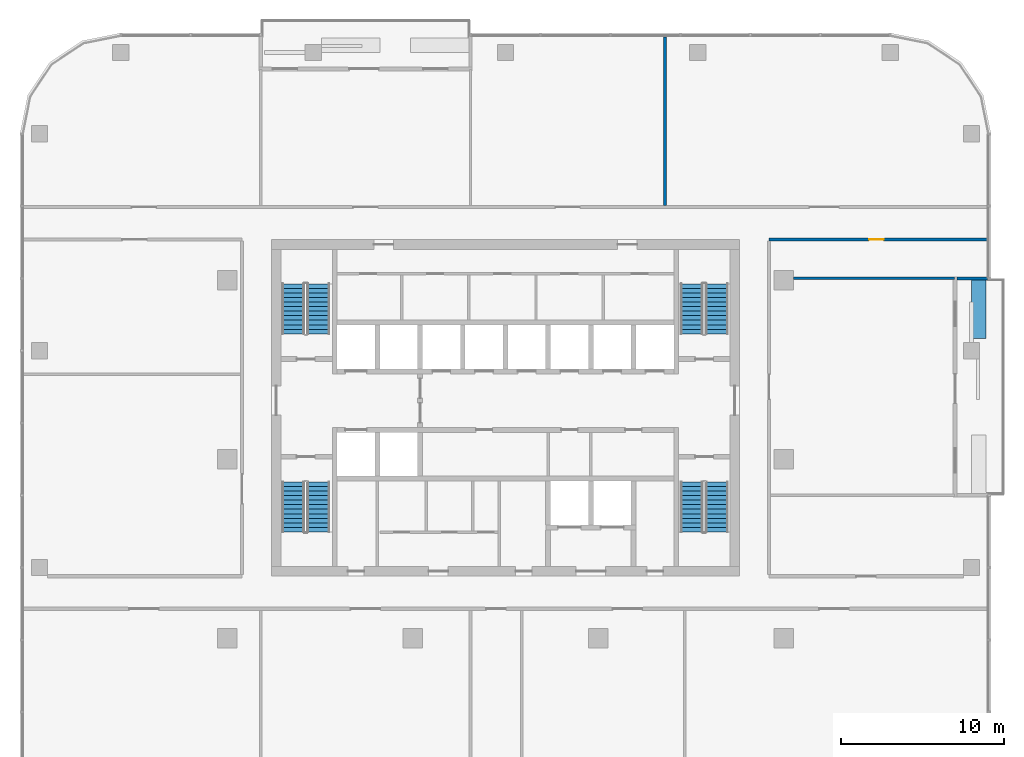
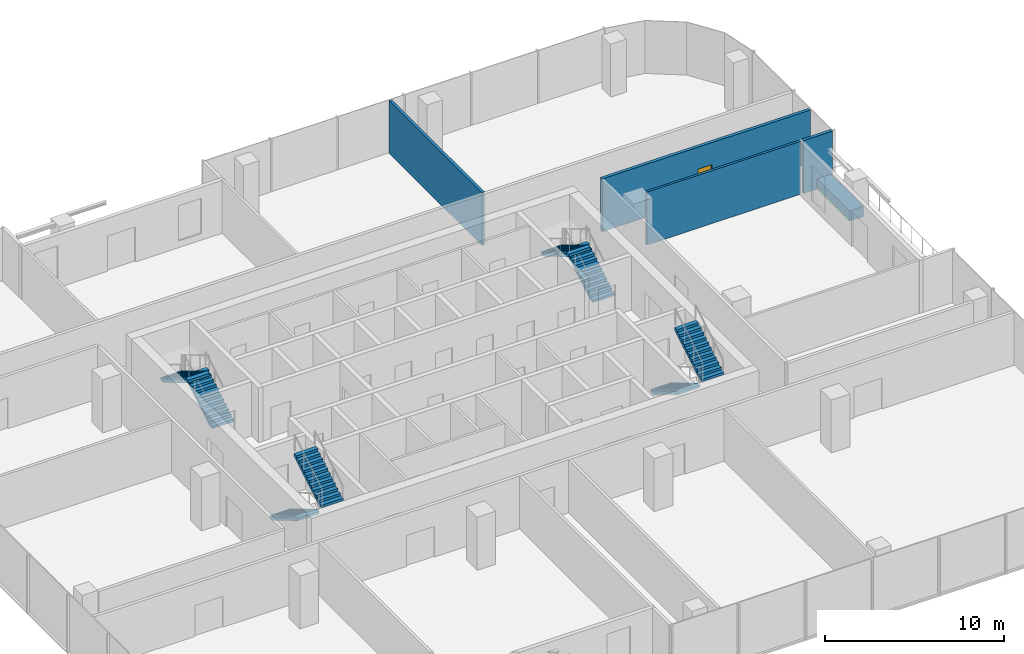
# One storey, part 10 of 13: 8 stair flights, 5 walls, 1 door, 1 opening, 4 elements without a shape of their own.
"""IFC4 building model written with IfcOpenShell, lengths in metres."""

from ifc_helpers import new_model, si_unit, direction, frame, frame_2d, origin, place, context, subcontext, project, spatial, polyline, rectangle, outline, extrude, material, layer, layer_set, type_object, element, fill, aggregate, save


model = new_model("IFC4")

# Units and contexts
model_context = context("Model", 3, precision=1e-05, world=origin(), true_north=direction((0.0, 1.0)))
body_context = subcontext(model_context, "Body", "Model", "MODEL_VIEW")
ifc_project = project(units=[si_unit("LENGTHUNIT", "METRE"), si_unit("AREAUNIT", "SQUARE_METRE"), si_unit("VOLUMEUNIT", "CUBIC_METRE"), si_unit("PLANEANGLEUNIT", "RADIAN"), si_unit("MASSUNIT", "GRAM", prefix="KILO")], contexts=[model_context])

# Site, building, storey
site_placement = place(None, origin())
site = spatial("IfcSite", under=ifc_project, at=site_placement, CompositionType="ELEMENT")
building_placement = place(site_placement, origin())
building = spatial("IfcBuilding", under=site, at=building_placement, Name="Mopane Tessera Tower", CompositionType="ELEMENT")
storey_placement = place(building_placement, frame((0.0, 0.0, 295.39990234375)))
storey = spatial("IfcBuildingStorey", under=building, at=storey_placement, Name="L64", CompositionType="ELEMENT", Elevation=295.39990234375)

# Wall
ifc_material_1 = material(Name="Gypsum board on staggered steel studs, double layer each face, acoustic mineral wool infill", Category="steel")
ifc_layer_1 = layer(ifc_material_1, 0.175048828125)
ifc_layer_set_1 = layer_set([ifc_layer_1], Name="Gypsum board on staggered steel studs, double layer each face, acoustic mineral wool infill")
wall_type_1 = type_object("IfcWallType", Name="Gypsum board acoustic partition 175, rated EI 60", PredefinedType="PARTITIONING", material=ifc_layer_set_1)
wall_1_placement = place(storey_placement, frame((9.800048828125, 15.60009765625, 0.0), z_axis=(0.0, 0.0, 1.0), x_axis=(0.0, 1.0, 0.0)))
element("IfcWall", 1, at=wall_1_placement, inside=storey, type_object=wall_type_1, Name="Partition L64:015", PredefinedType="PARTITIONING", context=body_context, shape_type="SweptSolid", body=[
    extrude(rectangle(XDim=10.349853515625, YDim=0.175048828125, at=frame_2d((5.1748046875, 0.0))), origin(), (0.0, 0.0, 1.0), 3.60009765625),
])

# Wall, opening, door
ifc_material_2 = material(Name="Gypsum board on steel studs, two layers each face, mineral wool infill", Category="steel")
ifc_layer_2 = layer(ifc_material_2, 0.199951171875)
ifc_layer_set_2 = layer_set([ifc_layer_2], Name="Gypsum board on steel studs, two layers each face, mineral wool infill")
wall_type_2 = type_object("IfcWallType", Name="Gypsum board corridor wall 200, rated EI 60", PredefinedType="PARTITIONING", material=ifc_layer_set_2)
wall_2_placement = place(storey_placement, frame((16.199951171875, 13.5, 0.0), z_axis=(0.0, 0.0, 1.0), x_axis=(1.0, 0.0, 0.0)))
wall_2 = element("IfcWall", 2, at=wall_2_placement, inside=storey, type_object=wall_type_2, Name="Partition L64:007", PredefinedType="PARTITIONING", context=body_context, shape_type="SweptSolid", body=[
    extrude(rectangle(XDim=13.400146484375, YDim=0.199951171875, at=frame_2d((6.7001953125, 0.0))), origin(), (0.0, 0.0, 1.0), 3.60009765625),
])
opening_placement = place(wall_2_placement, frame((6.14990234375, 0.0, 0.0)))
opening = element("IfcOpeningElement", 3, at=opening_placement, cuts=wall_2, Name="Opening L64-03", PredefinedType="OPENING", context=body_context, shape_type="SweptSolid", body=[
    extrude(rectangle(XDim=0.89990234375, YDim=2.10009765625, at=frame_2d((0.449951171875, 1.050048828125))), frame((0.0, 0.112060546875, 0.0), z_axis=(0.0, -1.0, 0.0), x_axis=(1.0, 0.0, 0.0)), (0.0, 0.0, 1.0), 0.223876953125),
])
ifc_material_3 = material(Name="Timber veneered steel-framed fire door", Category="steel")
door_type = type_object("IfcDoorType", Name="Fire door FD60 900 x 2100", OperationType="SINGLE_SWING_LEFT", PredefinedType="DOOR", material=ifc_material_3)
door_placement = place(opening_placement, origin())
door = element("IfcDoor", 4, at=door_placement, inside=storey, type_object=door_type, Name="Door L64-03", ObjectType="D10A", OperationType="SINGLE_SWING_LEFT", OverallHeight=2.10009765625, OverallWidth=0.89990234375, PredefinedType="DOOR", context=body_context, shape_type="SweptSolid", body=[
    extrude(rectangle(XDim=0.89990234375, YDim=2.10009765625, at=frame_2d((0.449951171875, 1.050048828125))), frame((0.0, 0.02490234375, 0.0), z_axis=(0.0, -1.0, 0.0), x_axis=(1.0, 0.0, 0.0)), (0.0, 0.0, 1.0), 0.050048828125),
])
fill(opening, door)

# Walls
ifc_material_4 = material(Name="Gypsum board on steel studs, mineral wool infill", Category="steel")
ifc_layer_3 = layer(ifc_material_4, 0.14990234375)
ifc_layer_set_3 = layer_set([ifc_layer_3], Name="Gypsum board on steel studs, mineral wool infill")
wall_type_3 = type_object("IfcWallType", Name="Gypsum board partition 150, rated EI 60", PredefinedType="PARTITIONING", material=ifc_layer_set_3)
wall_3_placement = place(storey_placement, frame((17.699951171875, 11.110107421875, 0.0), z_axis=(0.0, 0.0, 1.0), x_axis=(1.0, 0.0, 0.0)))
element("IfcWall", 5, at=wall_3_placement, inside=storey, type_object=wall_type_3, Name="Partition L64:005", PredefinedType="PARTITIONING", context=body_context, shape_type="SweptSolid", body=[
    extrude(rectangle(XDim=9.900146484375, YDim=0.14990234375, at=frame_2d((4.9501953125, 0.0))), origin(), (0.0, 0.0, 1.0), 3.60009765625),
])
ifc_material_5 = material(Name="Reinforced concrete C32/40 with waterproofing", Category="concrete")
ifc_layer_4 = layer(ifc_material_5, 0.89990234375)
ifc_layer_set_4 = layer_set([ifc_layer_4], Name="Reinforced concrete C32/40 with waterproofing")
wall_type_4 = type_object("IfcWallType", Name="Planter trough 3600 x 900", PredefinedType="STANDARD", material=ifc_layer_set_4)
wall_4_placement = place(storey_placement, frame((29.10009765625, 7.4111328125, 0.0), z_axis=(0.0, 0.0, 1.0), x_axis=(0.0, 1.0, 0.0)))
element("IfcWall", 6, at=wall_4_placement, inside=storey, type_object=wall_type_4, Name="e:nw:L64:N1:pl1", PredefinedType="STANDARD", context=body_context, shape_type="SweptSolid", body=[
    extrude(rectangle(XDim=3.60009765625, YDim=0.89990234375, at=frame_2d((1.800048828125, 0.0))), origin(), (0.0, 0.0, 1.0), 0.7001953125),
])
ifc_material_6 = material(Name="Blockwork with glazed tile facing", Category="masonry")
ifc_layer_5 = layer(ifc_material_6, 0.199951171875)
ifc_layer_set_5 = layer_set([ifc_layer_5], Name="Blockwork with glazed tile facing")
wall_type_5 = type_object("IfcWallType", Name="Terrace cheek wall 200", PredefinedType="STANDARD", material=ifc_layer_set_5)
wall_5_placement = place(storey_placement, frame((29.64990234375, 11.111083984375, 0.0), z_axis=(0.0, 0.0, 1.0), x_axis=(-1.0, 0.0, 0.0)))
element("IfcWall", 7, at=wall_5_placement, inside=storey, type_object=wall_type_5, Name="e:nw:L64:N1:cheekb", PredefinedType="STANDARD", context=body_context, shape_type="SweptSolid", body=[
    extrude(rectangle(XDim=1.875, YDim=0.199951171875, at=frame_2d((0.9375, 0.0))), origin(), (0.0, 0.0, 1.0), 3.60009765625),
])

# Stair, stair flights
ifc_material_7 = material(Name="Concrete C50/60", Category="concrete")
stair_type = type_object("IfcStairType", Name="Escape stair 1400 mm, riser 167 mm", PredefinedType="HALF_TURN_STAIR", material=ifc_material_7)
stair_1_placement = place(storey_placement, origin())
stair_1 = element("IfcStair", 8, at=stair_1_placement, inside=storey, type_object=stair_type, Name="L64 Escape stair south-west", PredefinedType="HALF_TURN_STAIR")
ifc_material_8 = material(Name="Concrete C50/60", Category="concrete")
stair_flight_type = type_object("IfcStairFlightType", Name="Escape stair flight 1400 mm", PredefinedType="STRAIGHT", material=ifc_material_8)
stair_flight_1_placement = place(storey_placement, frame((-13.050048828125, -1.39990234375, 0.0), z_axis=(0.0, 0.0, 1.0), x_axis=(0.0, -1.0, 0.0)))
stair_flight_1 = element("IfcStairFlight", 9, at=stair_flight_1_placement, type_object=stair_flight_type, Name="ST1 flight 1", NumberOfRisers=12, NumberOfTreads=11, PredefinedType="STRAIGHT", RiserHeight=0.166666667, TreadLength=0.28, context=body_context, shape_type="SweptSolid", body=[
    extrude(outline(polyline([(0.0, 0.0), (0.0, 0.166748046875), (0.280029296875, 0.166748046875), (0.280029296875, 0.333251953125), (0.56005859375, 0.333251953125), (0.56005859375, 0.5), (0.840087890625, 0.5), (0.840087890625, 0.666748046875), (1.1201171875, 0.666748046875), (1.1201171875, 0.833251953125), (1.39990234375, 0.833251953125), (1.39990234375, 1.0), (1.679931640625, 1.0), (1.679931640625, 1.166748046875), (1.9599609375, 1.166748046875), (1.9599609375, 1.333251953125), (2.239990234375, 1.333251953125), (2.239990234375, 1.5), (2.52001953125, 1.5), (2.52001953125, 1.666748046875), (2.800048828125, 1.666748046875), (2.800048828125, 1.833251953125), (3.080078125, 1.833251953125), (3.080078125, 2.0), (3.080078125, 1.658935546875), (0.29296875, 0.0), (0.0, 0.0)])), frame((0.0, 0.699951171875, 0.0), z_axis=(0.0, -1.0, 0.0), x_axis=(1.0, 0.0, 0.0)), (0.0, 0.0, 1.0), 1.39990234375),
])
stair_flight_2_placement = place(storey_placement, frame((-11.5, -4.47998046875, 2.0), z_axis=(0.0, 0.0, 1.0), x_axis=(0.0, 1.0, 0.0)))
stair_flight_2 = element("IfcStairFlight", 10, at=stair_flight_2_placement, type_object=stair_flight_type, Name="ST1 flight 2", NumberOfRisers=12, NumberOfTreads=11, PredefinedType="STRAIGHT", RiserHeight=0.166666667, TreadLength=0.28, context=body_context, shape_type="SweptSolid", body=[
    extrude(outline(polyline([(0.0, 0.0), (0.0, 0.166748046875), (0.280029296875, 0.166748046875), (0.280029296875, 0.333251953125), (0.56005859375, 0.333251953125), (0.56005859375, 0.5), (0.840087890625, 0.5), (0.840087890625, 0.666748046875), (1.1201171875, 0.666748046875), (1.1201171875, 0.833251953125), (1.39990234375, 0.833251953125), (1.39990234375, 1.0), (1.679931640625, 1.0), (1.679931640625, 1.166748046875), (1.9599609375, 1.166748046875), (1.9599609375, 1.333251953125), (2.239990234375, 1.333251953125), (2.239990234375, 1.5), (2.52001953125, 1.5), (2.52001953125, 1.666748046875), (2.800048828125, 1.666748046875), (2.800048828125, 1.833251953125), (3.080078125, 1.833251953125), (3.080078125, 2.0), (3.080078125, 1.658935546875), (0.29296875, 0.0), (0.0, 0.0)])), frame((0.0, 0.699951171875, 0.0), z_axis=(0.0, -1.0, 0.0), x_axis=(1.0, 0.0, 0.0)), (0.0, 0.0, 1.0), 1.39990234375),
])
aggregate(stair_1, [stair_flight_1, stair_flight_2])

stair_2_placement = place(storey_placement, origin())
stair_2 = element("IfcStair", 11, at=stair_2_placement, inside=storey, type_object=stair_type, Name="L64 Escape stair north-west", PredefinedType="HALF_TURN_STAIR")
stair_flight_3_placement = place(storey_placement, frame((-11.5, 7.699951171875, 0.0), z_axis=(0.0, 0.0, 1.0), x_axis=(0.0, 1.0, 0.0)))
stair_flight_3 = element("IfcStairFlight", 12, at=stair_flight_3_placement, type_object=stair_flight_type, Name="ST2 flight 1", NumberOfRisers=12, NumberOfTreads=11, PredefinedType="STRAIGHT", RiserHeight=0.166666667, TreadLength=0.28, context=body_context, shape_type="SweptSolid", body=[
    extrude(outline(polyline([(0.0, 0.0), (0.0, 0.166748046875), (0.280029296875, 0.166748046875), (0.280029296875, 0.333251953125), (0.56005859375, 0.333251953125), (0.56005859375, 0.5), (0.840087890625, 0.5), (0.840087890625, 0.666748046875), (1.1201171875, 0.666748046875), (1.1201171875, 0.833251953125), (1.39990234375, 0.833251953125), (1.39990234375, 1.0), (1.679931640625, 1.0), (1.679931640625, 1.166748046875), (1.9599609375, 1.166748046875), (1.9599609375, 1.333251953125), (2.239990234375, 1.333251953125), (2.239990234375, 1.5), (2.52001953125, 1.5), (2.52001953125, 1.666748046875), (2.800048828125, 1.666748046875), (2.800048828125, 1.833251953125), (3.080078125, 1.833251953125), (3.080078125, 2.0), (3.080078125, 1.658935546875), (0.29296875, 0.0), (0.0, 0.0)])), frame((0.0, 0.699951171875, 0.0), z_axis=(0.0, -1.0, 0.0), x_axis=(1.0, 0.0, 0.0)), (0.0, 0.0, 1.0), 1.39990234375),
])
stair_flight_4_placement = place(storey_placement, frame((-13.050048828125, 10.780029296875, 2.0), z_axis=(0.0, 0.0, 1.0), x_axis=(0.0, -1.0, 0.0)))
stair_flight_4 = element("IfcStairFlight", 13, at=stair_flight_4_placement, type_object=stair_flight_type, Name="ST2 flight 2", NumberOfRisers=12, NumberOfTreads=11, PredefinedType="STRAIGHT", RiserHeight=0.166666667, TreadLength=0.28, context=body_context, shape_type="SweptSolid", body=[
    extrude(outline(polyline([(0.0, 0.0), (0.0, 0.166748046875), (0.280029296875, 0.166748046875), (0.280029296875, 0.333251953125), (0.56005859375, 0.333251953125), (0.56005859375, 0.5), (0.840087890625, 0.5), (0.840087890625, 0.666748046875), (1.1201171875, 0.666748046875), (1.1201171875, 0.833251953125), (1.39990234375, 0.833251953125), (1.39990234375, 1.0), (1.679931640625, 1.0), (1.679931640625, 1.166748046875), (1.9599609375, 1.166748046875), (1.9599609375, 1.333251953125), (2.239990234375, 1.333251953125), (2.239990234375, 1.5), (2.52001953125, 1.5), (2.52001953125, 1.666748046875), (2.800048828125, 1.666748046875), (2.800048828125, 1.833251953125), (3.080078125, 1.833251953125), (3.080078125, 2.0), (3.080078125, 1.658935546875), (0.29296875, 0.0), (0.0, 0.0)])), frame((0.0, 0.699951171875, 0.0), z_axis=(0.0, -1.0, 0.0), x_axis=(1.0, 0.0, 0.0)), (0.0, 0.0, 1.0), 1.39990234375),
])
aggregate(stair_2, [stair_flight_3, stair_flight_4])

stair_3_placement = place(storey_placement, origin())
stair_3 = element("IfcStair", 14, at=stair_3_placement, inside=storey, type_object=stair_type, Name="L64 Escape stair south-east", PredefinedType="HALF_TURN_STAIR")
stair_flight_5_placement = place(storey_placement, frame((11.449951171875, -1.39990234375, 0.0), z_axis=(0.0, 0.0, 1.0), x_axis=(0.0, -1.0, 0.0)))
stair_flight_5 = element("IfcStairFlight", 15, at=stair_flight_5_placement, type_object=stair_flight_type, Name="ST3 flight 1", NumberOfRisers=12, NumberOfTreads=11, PredefinedType="STRAIGHT", RiserHeight=0.166666667, TreadLength=0.28, context=body_context, shape_type="SweptSolid", body=[
    extrude(outline(polyline([(0.0, 0.0), (0.0, 0.166748046875), (0.280029296875, 0.166748046875), (0.280029296875, 0.333251953125), (0.56005859375, 0.333251953125), (0.56005859375, 0.5), (0.840087890625, 0.5), (0.840087890625, 0.666748046875), (1.1201171875, 0.666748046875), (1.1201171875, 0.833251953125), (1.39990234375, 0.833251953125), (1.39990234375, 1.0), (1.679931640625, 1.0), (1.679931640625, 1.166748046875), (1.9599609375, 1.166748046875), (1.9599609375, 1.333251953125), (2.239990234375, 1.333251953125), (2.239990234375, 1.5), (2.52001953125, 1.5), (2.52001953125, 1.666748046875), (2.800048828125, 1.666748046875), (2.800048828125, 1.833251953125), (3.080078125, 1.833251953125), (3.080078125, 2.0), (3.080078125, 1.658935546875), (0.29296875, 0.0), (0.0, 0.0)])), frame((0.0, 0.699951171875, 0.0), z_axis=(0.0, -1.0, 0.0), x_axis=(1.0, 0.0, 0.0)), (0.0, 0.0, 1.0), 1.39990234375),
])
stair_flight_6_placement = place(storey_placement, frame((13.0, -4.47998046875, 2.0), z_axis=(0.0, 0.0, 1.0), x_axis=(0.0, 1.0, 0.0)))
stair_flight_6 = element("IfcStairFlight", 16, at=stair_flight_6_placement, type_object=stair_flight_type, Name="ST3 flight 2", NumberOfRisers=12, NumberOfTreads=11, PredefinedType="STRAIGHT", RiserHeight=0.166666667, TreadLength=0.28, context=body_context, shape_type="SweptSolid", body=[
    extrude(outline(polyline([(0.0, 0.0), (0.0, 0.166748046875), (0.280029296875, 0.166748046875), (0.280029296875, 0.333251953125), (0.56005859375, 0.333251953125), (0.56005859375, 0.5), (0.840087890625, 0.5), (0.840087890625, 0.666748046875), (1.1201171875, 0.666748046875), (1.1201171875, 0.833251953125), (1.39990234375, 0.833251953125), (1.39990234375, 1.0), (1.679931640625, 1.0), (1.679931640625, 1.166748046875), (1.9599609375, 1.166748046875), (1.9599609375, 1.333251953125), (2.239990234375, 1.333251953125), (2.239990234375, 1.5), (2.52001953125, 1.5), (2.52001953125, 1.666748046875), (2.800048828125, 1.666748046875), (2.800048828125, 1.833251953125), (3.080078125, 1.833251953125), (3.080078125, 2.0), (3.080078125, 1.658935546875), (0.29296875, 0.0), (0.0, 0.0)])), frame((0.0, 0.699951171875, 0.0), z_axis=(0.0, -1.0, 0.0), x_axis=(1.0, 0.0, 0.0)), (0.0, 0.0, 1.0), 1.39990234375),
])
aggregate(stair_3, [stair_flight_5, stair_flight_6])

stair_4_placement = place(storey_placement, origin())
stair_4 = element("IfcStair", 17, at=stair_4_placement, inside=storey, type_object=stair_type, Name="L64 Escape stair north-east", PredefinedType="HALF_TURN_STAIR")
stair_flight_7_placement = place(storey_placement, frame((13.0, 7.699951171875, 0.0), z_axis=(0.0, 0.0, 1.0), x_axis=(0.0, 1.0, 0.0)))
stair_flight_7 = element("IfcStairFlight", 18, at=stair_flight_7_placement, type_object=stair_flight_type, Name="ST4 flight 1", NumberOfRisers=12, NumberOfTreads=11, PredefinedType="STRAIGHT", RiserHeight=0.166666667, TreadLength=0.28, context=body_context, shape_type="SweptSolid", body=[
    extrude(outline(polyline([(0.0, 0.0), (0.0, 0.166748046875), (0.280029296875, 0.166748046875), (0.280029296875, 0.333251953125), (0.56005859375, 0.333251953125), (0.56005859375, 0.5), (0.840087890625, 0.5), (0.840087890625, 0.666748046875), (1.1201171875, 0.666748046875), (1.1201171875, 0.833251953125), (1.39990234375, 0.833251953125), (1.39990234375, 1.0), (1.679931640625, 1.0), (1.679931640625, 1.166748046875), (1.9599609375, 1.166748046875), (1.9599609375, 1.333251953125), (2.239990234375, 1.333251953125), (2.239990234375, 1.5), (2.52001953125, 1.5), (2.52001953125, 1.666748046875), (2.800048828125, 1.666748046875), (2.800048828125, 1.833251953125), (3.080078125, 1.833251953125), (3.080078125, 2.0), (3.080078125, 1.658935546875), (0.29296875, 0.0), (0.0, 0.0)])), frame((0.0, 0.699951171875, 0.0), z_axis=(0.0, -1.0, 0.0), x_axis=(1.0, 0.0, 0.0)), (0.0, 0.0, 1.0), 1.39990234375),
])
stair_flight_8_placement = place(storey_placement, frame((11.449951171875, 10.780029296875, 2.0), z_axis=(0.0, 0.0, 1.0), x_axis=(0.0, -1.0, 0.0)))
stair_flight_8 = element("IfcStairFlight", 19, at=stair_flight_8_placement, type_object=stair_flight_type, Name="ST4 flight 2", NumberOfRisers=12, NumberOfTreads=11, PredefinedType="STRAIGHT", RiserHeight=0.166666667, TreadLength=0.28, context=body_context, shape_type="SweptSolid", body=[
    extrude(outline(polyline([(0.0, 0.0), (0.0, 0.166748046875), (0.280029296875, 0.166748046875), (0.280029296875, 0.333251953125), (0.56005859375, 0.333251953125), (0.56005859375, 0.5), (0.840087890625, 0.5), (0.840087890625, 0.666748046875), (1.1201171875, 0.666748046875), (1.1201171875, 0.833251953125), (1.39990234375, 0.833251953125), (1.39990234375, 1.0), (1.679931640625, 1.0), (1.679931640625, 1.166748046875), (1.9599609375, 1.166748046875), (1.9599609375, 1.333251953125), (2.239990234375, 1.333251953125), (2.239990234375, 1.5), (2.52001953125, 1.5), (2.52001953125, 1.666748046875), (2.800048828125, 1.666748046875), (2.800048828125, 1.833251953125), (3.080078125, 1.833251953125), (3.080078125, 2.0), (3.080078125, 1.658935546875), (0.29296875, 0.0), (0.0, 0.0)])), frame((0.0, 0.699951171875, 0.0), z_axis=(0.0, -1.0, 0.0), x_axis=(1.0, 0.0, 0.0)), (0.0, 0.0, 1.0), 1.39990234375),
])
aggregate(stair_4, [stair_flight_7, stair_flight_8])

save(model, "model.ifc")
